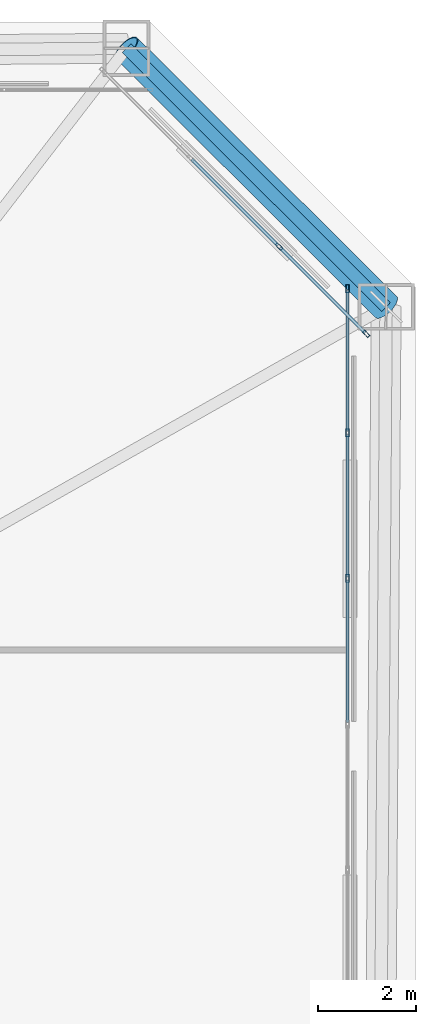
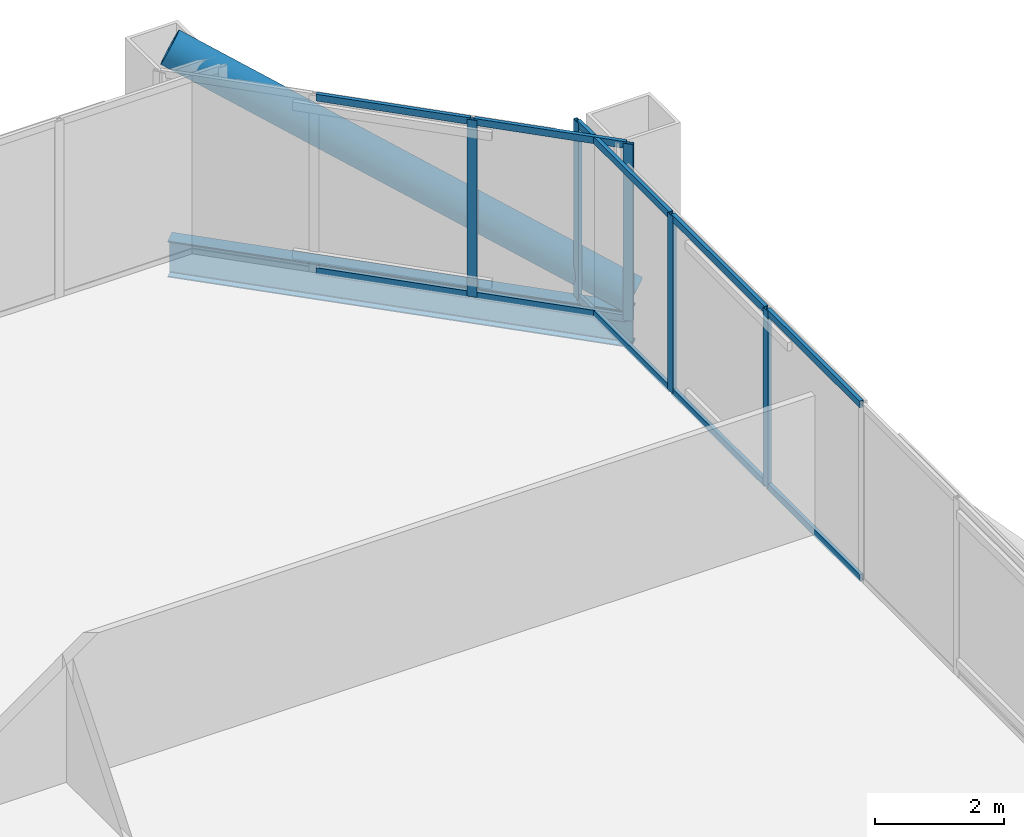
# One storey, part 41 of 50: 16 members, 1 beam, 2 elements without a shape of their own.
"""IFC4 building model written with IfcOpenShell, lengths in metres."""

import ifcopenshell
import ifcopenshell.guid

model = None  # the IFC model being written
_history = None  # IfcOwnerHistory: only IFC2X3 demands one
_inside = {}  # id of a spatial element -> (the spatial element, [elements in it])
_under = {}  # id of a project, library or spatial element -> (it, [spatial elements below it])
_declared = {}  # id of a project -> (the project, [libraries it declares])
_typed = {}  # id of a type object -> (the type object, [elements of that type])
_made_of = {}  # id of a material, layer set ... -> (it, [elements and type objects made of it])


def new_model(schema):
    """Start an empty IFC model of exactly this schema.

    Asked for "IFC4X3", IfcOpenShell would pick the latest addendum, in which some entities
    have other attributes; the version numbers below select the first issue.
    IFC2X3 requires an IfcOwnerHistory on every rooted entity: one is made here for all.
    """
    global model, _history
    if schema == "IFC4X3":
        model = ifcopenshell.file(schema_version=(4, 3, 0, 0))
    else:
        model = ifcopenshell.file(schema=schema)
    _inside.clear()
    _under.clear()
    _declared.clear()
    _typed.clear()
    _made_of.clear()
    _history = None
    if model.schema == "IFC2X3":
        org = make("IfcOrganization", Name="unknown")
        user = make(
            "IfcPersonAndOrganization",
            ThePerson=make("IfcPerson", FamilyName="unknown"),
            TheOrganization=org,
        )
        app = make(
            "IfcApplication",
            ApplicationDeveloper=org,
            Version="unknown",
            ApplicationFullName="unknown",
            ApplicationIdentifier="unknown",
        )
        _history = make(
            "IfcOwnerHistory",
            OwningUser=user,
            OwningApplication=app,
            ChangeAction="ADDED",
            CreationDate=0,
        )
    return model


def make(cls, **values):
    """One entity of the class cls with the attributes given. An attribute that is None is left unset."""
    return model.create_entity(
        cls, **{name: value for name, value in values.items() if value is not None}
    )


def rooted(cls, **values):
    """An entity with a GlobalId (a new one), such as an element, a storey or a relation."""
    return make(cls, GlobalId=ifcopenshell.guid.new(), OwnerHistory=_history, **values)


def si_unit(unit_type, name, prefix=None):
    """IfcSIUnit, for example si_unit("LENGTHUNIT", "METRE", prefix="MILLI")."""
    return make("IfcSIUnit", UnitType=unit_type, Prefix=prefix, Name=name)


def assignment(units):
    """IfcUnitAssignment: the units of a project."""
    return None if units is None else make("IfcUnitAssignment", Units=units)


def point(xyz):
    """IfcCartesianPoint."""
    return None if xyz is None else make("IfcCartesianPoint", Coordinates=xyz)


def direction(xyz):
    """IfcDirection."""
    return None if xyz is None else make("IfcDirection", DirectionRatios=xyz)


def frame(location, z_axis=None, x_axis=None):
    """IfcAxis2Placement3D, a coordinate frame: its origin and axes. An axis left out is left unset."""
    return make(
        "IfcAxis2Placement3D",
        Location=point(location),
        Axis=direction(z_axis),
        RefDirection=direction(x_axis),
    )


def frame_2d(location, x_axis=None):
    """IfcAxis2Placement2D, a coordinate frame in the plane: its origin and x axis."""
    return make(
        "IfcAxis2Placement2D", Location=point(location), RefDirection=direction(x_axis)
    )


def origin():
    """The frame at (0, 0, 0) with its axes left unset."""
    return frame((0.0, 0.0, 0.0))


def origin_2d():
    """The frame at (0, 0) in the plane with its x axis left unset."""
    return frame_2d((0.0, 0.0))


def place(relative_to, where):
    """IfcLocalPlacement: puts the frame where relative to a parent placement (None: the world)."""
    return make(
        "IfcLocalPlacement", PlacementRelTo=relative_to, RelativePlacement=where
    )


def context(
    kind, dimensions, precision=None, world=None, true_north=None, identifier=None
):
    """IfcGeometricRepresentationContext, for example the 3D "Model" context."""
    return make(
        "IfcGeometricRepresentationContext",
        ContextIdentifier=identifier,
        ContextType=kind,
        CoordinateSpaceDimension=dimensions,
        Precision=precision,
        WorldCoordinateSystem=world,
        TrueNorth=true_north,
    )


def subcontext(parent, identifier, kind, view, scale=None):
    """IfcGeometricRepresentationSubContext, for example "Body" below "Model"."""
    return make(
        "IfcGeometricRepresentationSubContext",
        ContextIdentifier=identifier,
        ContextType=kind,
        ParentContext=parent,
        TargetScale=scale,
        TargetView=view,
    )


def project(units=None, contexts=None):
    """IfcProject with its units and contexts."""
    return rooted(
        "IfcProject",
        Name="project",
        RepresentationContexts=contexts,
        UnitsInContext=assignment(units),
    )


def spatial(cls, under=None, at=None, **own):
    """A site, building, storey or space (cls), placed at a placement, below another one or the project."""
    s = rooted(cls, ObjectPlacement=at, **own)
    if under is not None:
        _under.setdefault(under.id(), (under, []))[1].append(s)
    return s


def profile(cls, at=None, kind="AREA", **sizes):
    """A parametric profile (cls). Its sizes go by their IFC names, for example OverallWidth=200.0."""
    return make(cls, ProfileType=kind, Position=at, **sizes)


def hollow_rectangle(**sizes):
    """IfcRectangleHollowProfileDef."""
    return profile("IfcRectangleHollowProfileDef", **sizes)


def hollow_circle(**sizes):
    """IfcCircleHollowProfileDef."""
    return profile("IfcCircleHollowProfileDef", **sizes)


def i_section(**sizes):
    """IfcIShapeProfileDef."""
    return profile("IfcIShapeProfileDef", **sizes)


def extrude(swept, where, along, depth):
    """IfcExtrudedAreaSolid: the profile swept, set in the frame where, extruded along a direction by depth."""
    return make(
        "IfcExtrudedAreaSolid",
        SweptArea=swept,
        Position=where,
        ExtrudedDirection=direction(along),
        Depth=depth,
    )


def shape(context_of_items, identifier, shape_type, items):
    """IfcShapeRepresentation: the items that make up one representation, for example the "Body"."""
    return make(
        "IfcShapeRepresentation",
        ContextOfItems=context_of_items,
        RepresentationIdentifier=identifier,
        RepresentationType=shape_type,
        Items=items,
    )


def material(Name=None, Category=None):
    """IfcMaterial."""
    return make("IfcMaterial", Name=Name, Category=Category)


def layer(
    of_material, thickness, ventilated=None, Name=None, Category=None, Priority=None
):
    """IfcMaterialLayer: one layer of a wall or slab, of a material (None: an air gap)."""
    return make(
        "IfcMaterialLayer",
        Material=of_material,
        LayerThickness=thickness,
        IsVentilated=ventilated,
        Name=Name,
        Category=Category,
        Priority=Priority,
    )


def layer_set(layers, Name=None):
    """IfcMaterialLayerSet."""
    return make("IfcMaterialLayerSet", MaterialLayers=layers, LayerSetName=Name)


def material_profile(
    of_material, cross_section, Name=None, Category=None, Priority=None
):
    """IfcMaterialProfile: a cross section and its material."""
    return make(
        "IfcMaterialProfile",
        Name=Name,
        Material=of_material,
        Profile=cross_section,
        Priority=Priority,
        Category=Category,
    )


def profile_set(profiles, Name=None, composite=None):
    """IfcMaterialProfileSet."""
    return make(
        "IfcMaterialProfileSet",
        Name=Name,
        MaterialProfiles=profiles,
        CompositeProfile=composite,
    )


def made_of(thing, what):
    """Note that an element or type object is made of a material, layer set ...; save() writes the relation."""
    if what is not None:
        _made_of.setdefault(what.id(), (what, []))[1].append(thing)
    return thing


def type_object(cls, material=None, **own):
    """A type object (cls), such as IfcWallType, which elements share."""
    return made_of(rooted(cls, **own), material)


def element(
    cls,
    number,
    at=None,
    inside=None,
    cuts=None,
    type_object=None,
    material=None,
    context=None,
    identifier="Body",
    shape_type=None,
    held_by="IfcProductDefinitionShape",
    body=None,
    shapes=None,
    **own,
):
    """One element of the class cls, such as IfcWall. Its Tag is "e" and its number.

    at: its placement. inside: the storey or other place that contains it. cuts: it is an
    opening in that element (IfcRelVoidsElement). A single representation is given by context,
    identifier, shape_type and body (its items); several are given by shapes. held_by: the class
    of the entity that holds the representations. save() writes the other relations.
    """
    e = rooted(cls, Tag="e%d" % number, ObjectPlacement=at, **own)
    if body is not None:
        shapes = [shape(context, identifier, shape_type, body)]
    if shapes is not None:
        e.Representation = make(held_by, Representations=shapes)
    if inside is not None:
        _inside.setdefault(inside.id(), (inside, []))[1].append(e)
    if cuts is not None:
        rooted(
            "IfcRelVoidsElement", RelatingBuildingElement=cuts, RelatedOpeningElement=e
        )
    if type_object is not None:
        _typed.setdefault(type_object.id(), (type_object, []))[1].append(e)
    return made_of(e, material)


def aggregate(whole, parts):
    """IfcRelAggregates: a whole, such as a stair, and the parts it consists of."""
    return rooted("IfcRelAggregates", RelatingObject=whole, RelatedObjects=parts)


def save(model, path):
    """Write the relations noted so far, then the file.

    IfcRelAggregates (storeys below a building ...), IfcRelContainedInSpatialStructure (elements
    in a storey), IfcRelDefinesByType, IfcRelAssociatesMaterial and IfcRelDeclares: one each for
    every whole, place, type object, material and project.
    """
    for whole, parts in _under.values():
        aggregate(whole, parts)
    for where, things in _inside.values():
        rooted(
            "IfcRelContainedInSpatialStructure",
            RelatedElements=things,
            RelatingStructure=where,
        )
    for kind, things in _typed.values():
        rooted("IfcRelDefinesByType", RelatedObjects=things, RelatingType=kind)
    for what, things in _made_of.values():
        rooted("IfcRelAssociatesMaterial", RelatedObjects=things, RelatingMaterial=what)
    for by, libraries in _declared.values():
        rooted("IfcRelDeclares", RelatingContext=by, RelatedDefinitions=libraries)
    model.write(path)


model = new_model("IFC4")

# Units and contexts
model_context = context("Model", 3, precision=1e-05, world=origin(), true_north=direction((0.0, 1.0)))
body_context = subcontext(model_context, "Body", "Model", "MODEL_VIEW")
ifc_project = project(units=[si_unit("LENGTHUNIT", "METRE"), si_unit("AREAUNIT", "SQUARE_METRE"), si_unit("VOLUMEUNIT", "CUBIC_METRE"), si_unit("PLANEANGLEUNIT", "RADIAN"), si_unit("MASSUNIT", "GRAM", prefix="KILO")], contexts=[model_context])

# Site, building, storey
site_placement = place(None, origin())
site = spatial("IfcSite", under=ifc_project, at=site_placement, CompositionType="ELEMENT")
building_placement = place(site_placement, origin())
building = spatial("IfcBuilding", under=site, at=building_placement, Name="Caelvoria Tower", CompositionType="ELEMENT")
storey_placement = place(building_placement, frame((0.0, 0.0, 71.199951171875)))
storey = spatial("IfcBuildingStorey", under=building, at=storey_placement, Name="L18", CompositionType="ELEMENT", Elevation=71.199951171875)

# Curtain wall, members
ifc_material_1 = material(Name="Anodised Bronze Aluminium and Low-E Glass", Category="aluminium")
ifc_layer = layer(ifc_material_1, 0.18505859375, Name="Anodised Bronze Aluminium and Low-E Glass")
ifc_layer_set = layer_set([ifc_layer], Name="CW System 2 Lower Tower Bronze Unitised Facade - Anodised Bronze Aluminium and Low-E Glass")
curtain_wall_type = type_object("IfcCurtainWallType", Name="CW System 2 Lower Tower Bronze Unitised Facade", PredefinedType="NOTDEFINED", material=ifc_layer_set)
curtain_wall_1_placement = place(storey_placement, origin())
curtain_wall_1 = element("IfcCurtainWall", 1, at=curtain_wall_1_placement, inside=storey, type_object=curtain_wall_type, Name="CW-02 Curtain Wall L18-E2", PredefinedType="NOTDEFINED")
ifc_material_2 = material(Name="Anodised Bronze Architectural Aluminium", Category="aluminium")
ifc_material_profile_1 = material_profile(ifc_material_2, hollow_rectangle(XDim=0.06494140625, YDim=0.159912109375, WallThickness=0.00390625, at=origin_2d()), Name="Anodised Bronze Architectural Aluminium")
ifc_profile_set_1 = profile_set([ifc_material_profile_1], Name="CW_MULL_65X160 - Anodised Bronze Architectural Aluminium")
member_type_1 = type_object("IfcMemberType", Name="Curtain Wall Mullion 65x160 Bronze Aluminium", PredefinedType="MULLION", material=ifc_profile_set_1)
member_1_placement = place(storey_placement, frame((70.820068359375, 43.86669921875, 0.0), z_axis=(0.0, 0.0, 1.0), x_axis=(-1.0, 0.0, 0.0)))
member_1 = element("IfcMember", 2, at=member_1_placement, type_object=member_type_1, Name="CW-02 mullion 11", PredefinedType="MULLION", context=body_context, shape_type="SweptSolid", body=[
    extrude(hollow_rectangle(XDim=0.06494140625, YDim=0.159912109375, WallThickness=0.00390625, at=origin_2d()), origin(), (0.0, 0.0, 1.0), 3.360107421875),
])
member_2_placement = place(storey_placement, frame((70.820068359375, 46.833251953125, 0.0), z_axis=(0.0, 0.0, 1.0), x_axis=(-1.0, 0.0, 0.0)))
member_2 = element("IfcMember", 3, at=member_2_placement, type_object=member_type_1, Name="CW-02 mullion 12", PredefinedType="MULLION", context=body_context, shape_type="SweptSolid", body=[
    extrude(hollow_rectangle(XDim=0.06494140625, YDim=0.159912109375, WallThickness=0.00390625, at=origin_2d()), origin(), (0.0, 0.0, 1.0), 3.360107421875),
])
member_3_placement = place(storey_placement, frame((70.820068359375, 49.767578125, 0.0), z_axis=(0.0, 0.0, 1.0), x_axis=(-1.0, 0.0, 0.0)))
member_3 = element("IfcMember", 4, at=member_3_placement, type_object=member_type_1, Name="CW-02 mullion 13", PredefinedType="MULLION", context=body_context, shape_type="SweptSolid", body=[
    extrude(hollow_rectangle(XDim=0.06494140625, YDim=0.159912109375, WallThickness=0.00390625, at=origin_2d()), origin(), (0.0, 0.0, 1.0), 3.360107421875),
])

curtain_wall_2_placement = place(storey_placement, origin())
curtain_wall_2 = element("IfcCurtainWall", 5, at=curtain_wall_2_placement, inside=storey, type_object=curtain_wall_type, Name="CW-02 Curtain Wall L18-E3", PredefinedType="NOTDEFINED")
member_4_placement = place(storey_placement, frame((71.201171875, 48.84716796875, 0.0), z_axis=(0.0, 0.0, 1.0), x_axis=(-0.707106781187, -0.707106781187, 0.0)))
member_4 = element("IfcMember", 6, at=member_4_placement, type_object=member_type_1, Name="CW-02 mullion 1", PredefinedType="MULLION", context=body_context, shape_type="SweptSolid", body=[
    extrude(hollow_rectangle(XDim=0.06494140625, YDim=0.159912109375, WallThickness=0.00390625, at=origin_2d()), origin(), (0.0, 0.0, 1.0), 3.360107421875),
])
member_5_placement = place(storey_placement, frame((69.42431640625, 50.624267578125, 0.0), z_axis=(0.0, 0.0, 1.0), x_axis=(-0.707106781187, -0.707106781187, 0.0)))
member_5 = element("IfcMember", 7, at=member_5_placement, type_object=member_type_1, Name="CW-02 mullion 2", PredefinedType="MULLION", context=body_context, shape_type="SweptSolid", body=[
    extrude(hollow_rectangle(XDim=0.06494140625, YDim=0.159912109375, WallThickness=0.00390625, at=origin_2d()), origin(), (0.0, 0.0, 1.0), 3.360107421875),
])

# Member
ifc_material_profile_2 = material_profile(ifc_material_2, hollow_rectangle(XDim=0.06494140625, YDim=0.1298828125, WallThickness=0.00341796875, at=origin_2d()), Name="Anodised Bronze Architectural Aluminium")
ifc_profile_set_2 = profile_set([ifc_material_profile_2], Name="CW_TRAN_65X130 - Anodised Bronze Architectural Aluminium")
member_type_2 = type_object("IfcMemberType", Name="Curtain Wall Transom 65x130 Bronze Aluminium", PredefinedType="USERDEFINED", material=ifc_profile_set_2)
member_6_placement = place(storey_placement, frame((70.820068359375, 40.9326171875, 0.032470703125), z_axis=(0.0, 1.0, 0.0), x_axis=(-1.0, 0.0, 0.0)))
member_6 = element("IfcMember", 8, at=member_6_placement, type_object=member_type_2, Name="CW-02 transom 10.1", ObjectType="TRANSOM", PredefinedType="USERDEFINED", context=body_context, shape_type="SweptSolid", body=[
    extrude(hollow_rectangle(XDim=0.06494140625, YDim=0.1298828125, WallThickness=0.00341796875, at=origin_2d()), origin(), (0.0, 0.0, 1.0), 2.901611328125),
])

member_7_placement = place(storey_placement, frame((70.820068359375, 40.9326171875, 3.32763671875), z_axis=(0.0, 1.0, 0.0), x_axis=(-1.0, 0.0, 0.0)))
member_7 = element("IfcMember", 9, at=member_7_placement, type_object=member_type_2, Name="CW-02 transom 10.2", ObjectType="TRANSOM", PredefinedType="USERDEFINED", context=body_context, shape_type="SweptSolid", body=[
    extrude(hollow_rectangle(XDim=0.06494140625, YDim=0.1298828125, WallThickness=0.00341796875, at=origin_2d()), origin(), (0.0, 0.0, 1.0), 2.901611328125),
])

member_8_placement = place(storey_placement, frame((70.820068359375, 43.899169921875, 0.032470703125), z_axis=(0.0, 1.0, 0.0), x_axis=(-1.0, 0.0, 0.0)))
member_8 = element("IfcMember", 10, at=member_8_placement, type_object=member_type_2, Name="CW-02 transom 11.1", ObjectType="TRANSOM", PredefinedType="USERDEFINED", context=body_context, shape_type="SweptSolid", body=[
    extrude(hollow_rectangle(XDim=0.06494140625, YDim=0.1298828125, WallThickness=0.00341796875, at=origin_2d()), origin(), (0.0, 0.0, 1.0), 2.901611328125),
])

member_9_placement = place(storey_placement, frame((70.820068359375, 43.899169921875, 3.32763671875), z_axis=(0.0, 1.0, 0.0), x_axis=(-1.0, 0.0, 0.0)))
member_9 = element("IfcMember", 11, at=member_9_placement, type_object=member_type_2, Name="CW-02 transom 11.2", ObjectType="TRANSOM", PredefinedType="USERDEFINED", context=body_context, shape_type="SweptSolid", body=[
    extrude(hollow_rectangle(XDim=0.06494140625, YDim=0.1298828125, WallThickness=0.00341796875, at=origin_2d()), origin(), (0.0, 0.0, 1.0), 2.901611328125),
])

member_10_placement = place(storey_placement, frame((70.820068359375, 46.86572265625, 0.032470703125), z_axis=(0.0, 1.0, 0.0), x_axis=(-1.0, 0.0, 0.0)))
member_10 = element("IfcMember", 12, at=member_10_placement, type_object=member_type_2, Name="CW-02 transom 12.1", ObjectType="TRANSOM", PredefinedType="USERDEFINED", context=body_context, shape_type="SweptSolid", body=[
    extrude(hollow_rectangle(XDim=0.06494140625, YDim=0.1298828125, WallThickness=0.00341796875, at=origin_2d()), origin(), (0.0, 0.0, 1.0), 2.869384765625),
])

member_11_placement = place(storey_placement, frame((70.820068359375, 46.86572265625, 3.32763671875), z_axis=(0.0, 1.0, 0.0), x_axis=(-1.0, 0.0, 0.0)))
member_11 = element("IfcMember", 13, at=member_11_placement, type_object=member_type_2, Name="CW-02 transom 12.2", ObjectType="TRANSOM", PredefinedType="USERDEFINED", context=body_context, shape_type="SweptSolid", body=[
    extrude(hollow_rectangle(XDim=0.06494140625, YDim=0.1298828125, WallThickness=0.00341796875, at=origin_2d()), origin(), (0.0, 0.0, 1.0), 2.869384765625),
])

aggregate(curtain_wall_1, [member_1, member_2, member_3, member_6, member_7, member_8, member_9, member_10, member_11])

member_12_placement = place(storey_placement, frame((71.17822265625, 48.8701171875, 0.032470703125), z_axis=(-0.707056916458, 0.707156642399, 0.0), x_axis=(-0.707156642399, -0.707056916458, 0.0)))
member_12 = element("IfcMember", 14, at=member_12_placement, type_object=member_type_2, Name="CW-02 transom 1.1", ObjectType="TRANSOM", PredefinedType="USERDEFINED", context=body_context, shape_type="SweptSolid", body=[
    extrude(hollow_rectangle(XDim=0.06494140625, YDim=0.1298828125, WallThickness=0.00341796875, at=origin_2d()), origin(), (0.0, 0.0, 1.0), 2.447998046875),
])

member_13_placement = place(storey_placement, frame((71.17822265625, 48.8701171875, 3.32763671875), z_axis=(-0.707056916458, 0.707156642399, 0.0), x_axis=(-0.707156642399, -0.707056916458, 0.0)))
member_13 = element("IfcMember", 15, at=member_13_placement, type_object=member_type_2, Name="CW-02 transom 1.2", ObjectType="TRANSOM", PredefinedType="USERDEFINED", context=body_context, shape_type="SweptSolid", body=[
    extrude(hollow_rectangle(XDim=0.06494140625, YDim=0.1298828125, WallThickness=0.00341796875, at=origin_2d()), origin(), (0.0, 0.0, 1.0), 2.447998046875),
])

member_14_placement = place(storey_placement, frame((69.401123046875, 50.647216796875, 0.032470703125), z_axis=(-0.707106781187, 0.707106781187, 0.0), x_axis=(-0.707106781187, -0.707106781187, 0.0)))
member_14 = element("IfcMember", 16, at=member_14_placement, type_object=member_type_2, Name="CW-02 transom 2.1", ObjectType="TRANSOM", PredefinedType="USERDEFINED", context=body_context, shape_type="SweptSolid", body=[
    extrude(hollow_rectangle(XDim=0.06494140625, YDim=0.1298828125, WallThickness=0.00341796875, at=origin_2d()), origin(), (0.0, 0.0, 1.0), 2.48046875),
])

member_15_placement = place(storey_placement, frame((69.401123046875, 50.647216796875, 3.32763671875), z_axis=(-0.707106781187, 0.707106781187, 0.0), x_axis=(-0.707106781187, -0.707106781187, 0.0)))
member_15 = element("IfcMember", 17, at=member_15_placement, type_object=member_type_2, Name="CW-02 transom 2.2", ObjectType="TRANSOM", PredefinedType="USERDEFINED", context=body_context, shape_type="SweptSolid", body=[
    extrude(hollow_rectangle(XDim=0.06494140625, YDim=0.1298828125, WallThickness=0.00341796875, at=origin_2d()), origin(), (0.0, 0.0, 1.0), 2.48046875),
])

aggregate(curtain_wall_2, [member_4, member_5, member_12, member_13, member_14, member_15])

ifc_material_3 = material(Name="Structural Steel ASTM A572 Gr.50", Category="steel")
ifc_material_profile_3 = material_profile(ifc_material_3, hollow_circle(Radius=0.304931640625, WallThickness=0.02490234375, at=origin_2d()), Name="Structural Steel ASTM A572 Gr.50")
ifc_profile_set_3 = profile_set([ifc_material_profile_3], Name="CHS610X25 - Structural Steel ASTM A572 Gr.50")
member_type_3 = type_object("IfcMemberType", Name="Lower Perimeter Mega Brace CHS610X25", PredefinedType="BRACE", material=ifc_profile_set_3)
member_16_placement = place(storey_placement, frame((71.6044921875, 49.3955078125, 0.0), z_axis=(-0.645789216717, 0.643730853082, 0.410568966633), x_axis=(-0.70597718057, -0.708234580146, 0.0)))
element("IfcMember", 18, at=member_16_placement, inside=storey, type_object=member_type_3, Name="Perimeter Chamfer Mega Brace L18 NE", PredefinedType="BRACE", context=body_context, shape_type="SweptSolid", body=[
    extrude(hollow_circle(Radius=0.304931640625, WallThickness=0.02490234375, at=origin_2d()), origin(), (0.0, 0.0, 1.0), 8.18408203125),
])

# Beam
ifc_material_4 = material(Name="Structural Steel ASTM A992 Gr.50", Category="steel")
ifc_material_profile_4 = material_profile(ifc_material_4, i_section(OverallWidth=0.25390625, OverallDepth=0.68798828125, WebThickness=0.01318359375, FlangeThickness=0.02099609375, FilletRadius=0.01904296875, at=origin_2d()), Name="Structural Steel ASTM A992 Gr.50")
ifc_profile_set_4 = profile_set([ifc_material_profile_4], Name="W690X152 - Structural Steel ASTM A992 Gr.50")
beam_type = type_object("IfcBeamType", Name="Perimeter Spandrel Girder W690X152", PredefinedType="BEAM", material=ifc_profile_set_4)
beam_placement = place(storey_placement, frame((71.6044921875, 49.3955078125, -0.583984375), z_axis=(-0.708234580146, 0.70597718057, 0.0), x_axis=(-0.70597718057, -0.708234580146, 0.0)))
element("IfcBeam", 19, at=beam_placement, inside=storey, type_object=beam_type, Name="Perimeter Spandrel Girder L18-05", PredefinedType="BEAM", context=body_context, shape_type="SweptSolid", body=[
    extrude(i_section(OverallWidth=0.25390625, OverallDepth=0.68798828125, WebThickness=0.01318359375, FlangeThickness=0.02099609375, FilletRadius=0.01904296875, at=origin_2d()), origin(), (0.0, 0.0, 1.0), 7.46240234375),
])

save(model, "model.ifc")
